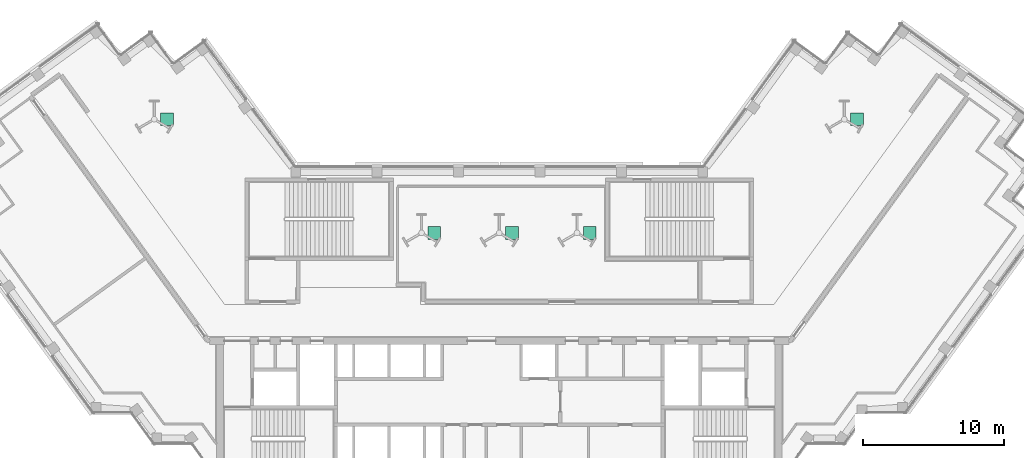
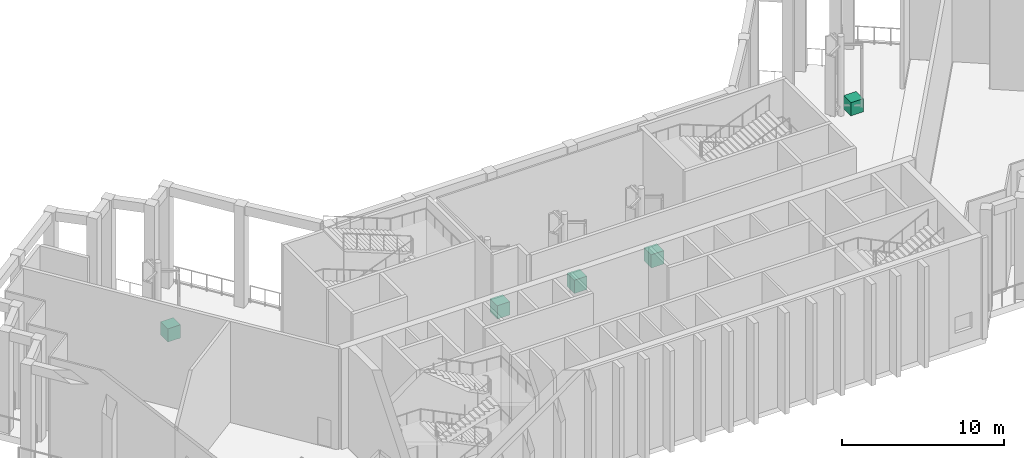
# One storey, part 12 of 12: 5 electric generators.
"""IFC4 building model written with IfcOpenShell, lengths in metres."""

import ifcopenshell
import ifcopenshell.guid

model = None  # the IFC model being written
_history = None  # IfcOwnerHistory: only IFC2X3 demands one
_inside = {}  # id of a spatial element -> (the spatial element, [elements in it])
_under = {}  # id of a project, library or spatial element -> (it, [spatial elements below it])
_declared = {}  # id of a project -> (the project, [libraries it declares])
_typed = {}  # id of a type object -> (the type object, [elements of that type])
_made_of = {}  # id of a material, layer set ... -> (it, [elements and type objects made of it])


def new_model(schema):
    """Start an empty IFC model of exactly this schema.

    Asked for "IFC4X3", IfcOpenShell would pick the latest addendum, in which some entities
    have other attributes; the version numbers below select the first issue.
    IFC2X3 requires an IfcOwnerHistory on every rooted entity: one is made here for all.
    """
    global model, _history
    if schema == "IFC4X3":
        model = ifcopenshell.file(schema_version=(4, 3, 0, 0))
    else:
        model = ifcopenshell.file(schema=schema)
    _inside.clear()
    _under.clear()
    _declared.clear()
    _typed.clear()
    _made_of.clear()
    _history = None
    if model.schema == "IFC2X3":
        org = make("IfcOrganization", Name="unknown")
        user = make(
            "IfcPersonAndOrganization",
            ThePerson=make("IfcPerson", FamilyName="unknown"),
            TheOrganization=org,
        )
        app = make(
            "IfcApplication",
            ApplicationDeveloper=org,
            Version="unknown",
            ApplicationFullName="unknown",
            ApplicationIdentifier="unknown",
        )
        _history = make(
            "IfcOwnerHistory",
            OwningUser=user,
            OwningApplication=app,
            ChangeAction="ADDED",
            CreationDate=0,
        )
    return model


def make(cls, **values):
    """One entity of the class cls with the attributes given. An attribute that is None is left unset."""
    return model.create_entity(
        cls, **{name: value for name, value in values.items() if value is not None}
    )


def rooted(cls, **values):
    """An entity with a GlobalId (a new one), such as an element, a storey or a relation."""
    return make(cls, GlobalId=ifcopenshell.guid.new(), OwnerHistory=_history, **values)


def si_unit(unit_type, name, prefix=None):
    """IfcSIUnit, for example si_unit("LENGTHUNIT", "METRE", prefix="MILLI")."""
    return make("IfcSIUnit", UnitType=unit_type, Prefix=prefix, Name=name)


def assignment(units):
    """IfcUnitAssignment: the units of a project."""
    return None if units is None else make("IfcUnitAssignment", Units=units)


def point(xyz):
    """IfcCartesianPoint."""
    return None if xyz is None else make("IfcCartesianPoint", Coordinates=xyz)


def direction(xyz):
    """IfcDirection."""
    return None if xyz is None else make("IfcDirection", DirectionRatios=xyz)


def frame(location, z_axis=None, x_axis=None):
    """IfcAxis2Placement3D, a coordinate frame: its origin and axes. An axis left out is left unset."""
    return make(
        "IfcAxis2Placement3D",
        Location=point(location),
        Axis=direction(z_axis),
        RefDirection=direction(x_axis),
    )


def frame_2d(location, x_axis=None):
    """IfcAxis2Placement2D, a coordinate frame in the plane: its origin and x axis."""
    return make(
        "IfcAxis2Placement2D", Location=point(location), RefDirection=direction(x_axis)
    )


def origin():
    """The frame at (0, 0, 0) with its axes left unset."""
    return frame((0.0, 0.0, 0.0))


def origin_2d():
    """The frame at (0, 0) in the plane with its x axis left unset."""
    return frame_2d((0.0, 0.0))


def place(relative_to, where):
    """IfcLocalPlacement: puts the frame where relative to a parent placement (None: the world)."""
    return make(
        "IfcLocalPlacement", PlacementRelTo=relative_to, RelativePlacement=where
    )


def context(
    kind, dimensions, precision=None, world=None, true_north=None, identifier=None
):
    """IfcGeometricRepresentationContext, for example the 3D "Model" context."""
    return make(
        "IfcGeometricRepresentationContext",
        ContextIdentifier=identifier,
        ContextType=kind,
        CoordinateSpaceDimension=dimensions,
        Precision=precision,
        WorldCoordinateSystem=world,
        TrueNorth=true_north,
    )


def subcontext(parent, identifier, kind, view, scale=None):
    """IfcGeometricRepresentationSubContext, for example "Body" below "Model"."""
    return make(
        "IfcGeometricRepresentationSubContext",
        ContextIdentifier=identifier,
        ContextType=kind,
        ParentContext=parent,
        TargetScale=scale,
        TargetView=view,
    )


def project(units=None, contexts=None):
    """IfcProject with its units and contexts."""
    return rooted(
        "IfcProject",
        Name="project",
        RepresentationContexts=contexts,
        UnitsInContext=assignment(units),
    )


def spatial(cls, under=None, at=None, **own):
    """A site, building, storey or space (cls), placed at a placement, below another one or the project."""
    s = rooted(cls, ObjectPlacement=at, **own)
    if under is not None:
        _under.setdefault(under.id(), (under, []))[1].append(s)
    return s


def profile(cls, at=None, kind="AREA", **sizes):
    """A parametric profile (cls). Its sizes go by their IFC names, for example OverallWidth=200.0."""
    return make(cls, ProfileType=kind, Position=at, **sizes)


def rectangle(**sizes):
    """IfcRectangleProfileDef."""
    return profile("IfcRectangleProfileDef", **sizes)


def extrude(swept, where, along, depth):
    """IfcExtrudedAreaSolid: the profile swept, set in the frame where, extruded along a direction by depth."""
    return make(
        "IfcExtrudedAreaSolid",
        SweptArea=swept,
        Position=where,
        ExtrudedDirection=direction(along),
        Depth=depth,
    )


def shape(context_of_items, identifier, shape_type, items):
    """IfcShapeRepresentation: the items that make up one representation, for example the "Body"."""
    return make(
        "IfcShapeRepresentation",
        ContextOfItems=context_of_items,
        RepresentationIdentifier=identifier,
        RepresentationType=shape_type,
        Items=items,
    )


def material(Name=None, Category=None):
    """IfcMaterial."""
    return make("IfcMaterial", Name=Name, Category=Category)


def made_of(thing, what):
    """Note that an element or type object is made of a material, layer set ...; save() writes the relation."""
    if what is not None:
        _made_of.setdefault(what.id(), (what, []))[1].append(thing)
    return thing


def type_object(cls, material=None, **own):
    """A type object (cls), such as IfcWallType, which elements share."""
    return made_of(rooted(cls, **own), material)


def element(
    cls,
    number,
    at=None,
    inside=None,
    cuts=None,
    type_object=None,
    material=None,
    context=None,
    identifier="Body",
    shape_type=None,
    held_by="IfcProductDefinitionShape",
    body=None,
    shapes=None,
    **own,
):
    """One element of the class cls, such as IfcWall. Its Tag is "e" and its number.

    at: its placement. inside: the storey or other place that contains it. cuts: it is an
    opening in that element (IfcRelVoidsElement). A single representation is given by context,
    identifier, shape_type and body (its items); several are given by shapes. held_by: the class
    of the entity that holds the representations. save() writes the other relations.
    """
    e = rooted(cls, Tag="e%d" % number, ObjectPlacement=at, **own)
    if body is not None:
        shapes = [shape(context, identifier, shape_type, body)]
    if shapes is not None:
        e.Representation = make(held_by, Representations=shapes)
    if inside is not None:
        _inside.setdefault(inside.id(), (inside, []))[1].append(e)
    if cuts is not None:
        rooted(
            "IfcRelVoidsElement", RelatingBuildingElement=cuts, RelatedOpeningElement=e
        )
    if type_object is not None:
        _typed.setdefault(type_object.id(), (type_object, []))[1].append(e)
    return made_of(e, material)


def aggregate(whole, parts):
    """IfcRelAggregates: a whole, such as a stair, and the parts it consists of."""
    return rooted("IfcRelAggregates", RelatingObject=whole, RelatedObjects=parts)


def save(model, path):
    """Write the relations noted so far, then the file.

    IfcRelAggregates (storeys below a building ...), IfcRelContainedInSpatialStructure (elements
    in a storey), IfcRelDefinesByType, IfcRelAssociatesMaterial and IfcRelDeclares: one each for
    every whole, place, type object, material and project.
    """
    for whole, parts in _under.values():
        aggregate(whole, parts)
    for where, things in _inside.values():
        rooted(
            "IfcRelContainedInSpatialStructure",
            RelatedElements=things,
            RelatingStructure=where,
        )
    for kind, things in _typed.values():
        rooted("IfcRelDefinesByType", RelatedObjects=things, RelatingType=kind)
    for what, things in _made_of.values():
        rooted("IfcRelAssociatesMaterial", RelatedObjects=things, RelatingMaterial=what)
    for by, libraries in _declared.values():
        rooted("IfcRelDeclares", RelatingContext=by, RelatedDefinitions=libraries)
    model.write(path)


model = new_model("IFC4")

# Units and contexts
model_context = context("Model", 3, precision=1e-05, world=origin(), true_north=direction((0.0, 1.0)))
body_context = subcontext(model_context, "Body", "Model", "MODEL_VIEW")
ifc_project = project(units=[si_unit("LENGTHUNIT", "METRE"), si_unit("AREAUNIT", "SQUARE_METRE"), si_unit("VOLUMEUNIT", "CUBIC_METRE"), si_unit("PLANEANGLEUNIT", "RADIAN"), si_unit("MASSUNIT", "GRAM", prefix="KILO")], contexts=[model_context])

# Site, building, storey
site_placement = place(None, origin())
site = spatial("IfcSite", under=ifc_project, at=site_placement, CompositionType="ELEMENT")
building_placement = place(site_placement, origin())
building = spatial("IfcBuilding", under=site, at=building_placement, Name="Quipu Civic Tower", CompositionType="ELEMENT")
storey_placement = place(building_placement, frame((0.0, 0.0, 273.0)))
storey = spatial("IfcBuildingStorey", under=building, at=storey_placement, Name="L64", CompositionType="ELEMENT", Elevation=273.0)

# Electric generators
ifc_material = material(Name="Steel S355", Category="steel")
electric_generator_type = type_object("IfcElectricGeneratorType", Name="Wind turbine generator", PredefinedType="NOTDEFINED", material=ifc_material)
for number, where, z_axis, x_axis, name in (
    (1, (-23.511962890625, 14.238037109375, 0.0), (0.0, 0.0, 1.0), (1.0, 0.0, 0.0), "Wind turbine VT-1 generator"),
    (2, (-4.60009765625, 6.199951171875, 0.0), (0.0, 0.0, 1.0), (1.0, 0.0, 0.0), "Wind turbine VT-2 generator"),
    (3, (0.89990234375, 6.199951171875, 0.0), (0.0, 0.0, 1.0), (1.0, 0.0, 0.0), "Wind turbine VT-3 generator"),
    (4, (6.39990234375, 6.199951171875, 0.0), (0.0, 0.0, 1.0), (1.0, 0.0, 0.0), "Wind turbine VT-4 generator"),
    (5, (25.31201171875, 14.238037109375, 0.0), (0.0, 0.0, 1.0), (1.0, 0.0, 0.0), "Wind turbine VT-5 generator"),
):
    element("IfcElectricGenerator", number, at=place(storey_placement, frame(where, z_axis=z_axis, x_axis=x_axis)), inside=storey, type_object=electric_generator_type, Name=name, PredefinedType="NOTDEFINED", context=body_context, shape_type="SweptSolid", body=[
        extrude(rectangle(XDim=0.89990234375, YDim=0.89990234375, at=origin_2d()), origin(), (0.0, 0.0, 1.0), 1.0),
    ])

save(model, "model.ifc")
